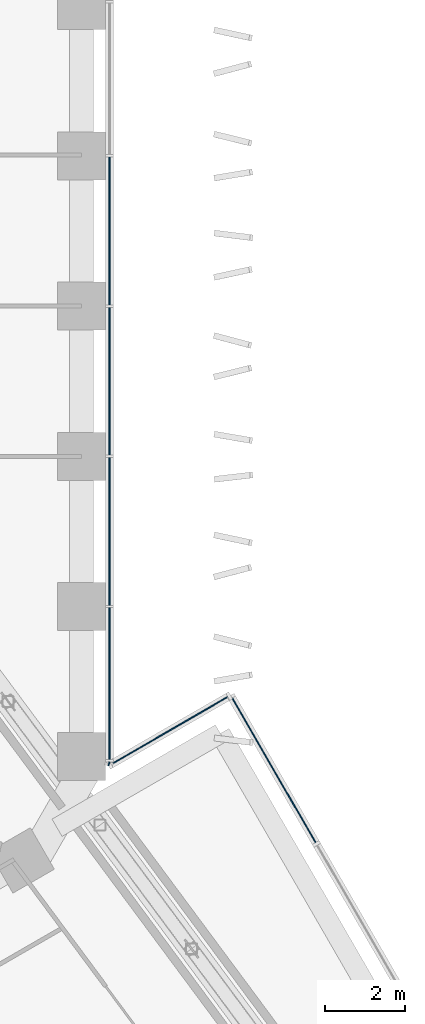
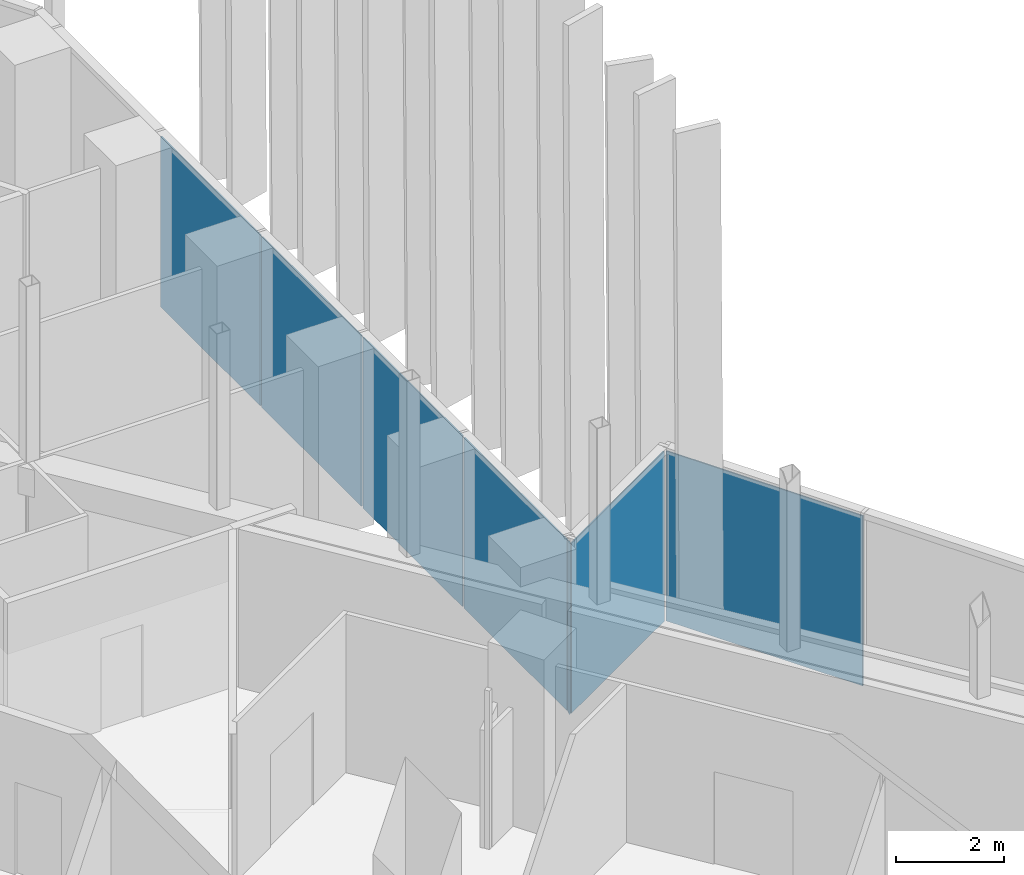
# One storey, part 17 of 29: 7 plates, 4 elements without a shape of their own.
"""IFC4 building model written with IfcOpenShell, lengths in metres."""

from ifc_helpers import new_model, si_unit, direction, frame, origin, origin_2d, place, context, subcontext, project, spatial, rectangle, extrude, material, layer, layer_set, type_object, element, aggregate, save


model = new_model("IFC4")

# Units and contexts
model_context = context("Model", 3, precision=1e-05, world=origin(), true_north=direction((0.0, 1.0)))
body_context = subcontext(model_context, "Body", "Model", "MODEL_VIEW")
ifc_project = project(units=[si_unit("LENGTHUNIT", "METRE"), si_unit("AREAUNIT", "SQUARE_METRE"), si_unit("VOLUMEUNIT", "CUBIC_METRE"), si_unit("PLANEANGLEUNIT", "RADIAN"), si_unit("MASSUNIT", "GRAM", prefix="KILO")], contexts=[model_context])

# Site, building, storey
site_placement = place(None, origin())
site = spatial("IfcSite", under=ifc_project, at=site_placement, CompositionType="ELEMENT")
building_placement = place(site_placement, origin())
building = spatial("IfcBuilding", under=site, at=building_placement, Name="Ayvan Gate Tower", CompositionType="ELEMENT")
storey_placement = place(building_placement, frame((0.0, 0.0, 66.300048828125)))
storey = spatial("IfcBuildingStorey", under=building, at=storey_placement, Name="L17", CompositionType="ELEMENT", Elevation=66.300048828125)

# Curtain wall, plates
ifc_material_1 = material(Name="Bronze anodised aluminium", Category="aluminium")
ifc_layer_1 = layer(ifc_material_1, 0.199951171875)
ifc_layer_set_1 = layer_set([ifc_layer_1], Name="Bronze anodised aluminium")
curtain_wall_type_1 = type_object("IfcCurtainWallType", Name="Stick curtain wall CW-1", PredefinedType="NOTDEFINED", material=ifc_layer_set_1)
curtain_wall_1_placement = place(storey_placement, origin())
curtain_wall_1 = element("IfcCurtainWall", 1, at=curtain_wall_1_placement, inside=storey, type_object=curtain_wall_type_1, Name="Stick curtain wall CW-1 L17", PredefinedType="NOTDEFINED")
ifc_material_2 = material(Name="Clear low-iron laminated glass", Category="glass")
ifc_layer_2 = layer(ifc_material_2, 0.028076171875)
ifc_layer_set_2 = layer_set([ifc_layer_2], Name="Clear low-iron laminated glass")
plate_type_1 = type_object("IfcPlateType", Name="Stick curtain wall CW-1 glass panel", PredefinedType="CURTAIN_PANEL", material=ifc_layer_set_2)
plate_1_placement = place(storey_placement, frame((21.484619140625, -3.76171875, 0.0), z_axis=(0.0, 0.0, 1.0), x_axis=(0.0, 1.0, 0.0)))
plate_1 = element("IfcPlate", 2, at=plate_1_placement, type_object=plate_type_1, Name="CW-1 glass panel 2", PredefinedType="CURTAIN_PANEL", context=body_context, shape_type="SweptSolid", body=[
    extrude(rectangle(XDim=3.701904296875, YDim=0.028076171875, at=origin_2d()), origin(), (0.0, 0.0, 1.0), 3.8798828125),
])
plate_2_placement = place(storey_placement, frame((21.484619140625, 0.000244140625, 0.0), z_axis=(0.0, 0.0, 1.0), x_axis=(0.0, 1.0, 0.0)))
plate_2 = element("IfcPlate", 3, at=plate_2_placement, type_object=plate_type_1, Name="CW-1 glass panel 3", PredefinedType="CURTAIN_PANEL", context=body_context, shape_type="SweptSolid", body=[
    extrude(rectangle(XDim=3.701904296875, YDim=0.028076171875, at=origin_2d()), origin(), (0.0, 0.0, 1.0), 3.8798828125),
])
plate_3_placement = place(storey_placement, frame((21.484619140625, 3.76220703125, 0.0), z_axis=(0.0, 0.0, 1.0), x_axis=(0.0, 1.0, 0.0)))
plate_3 = element("IfcPlate", 4, at=plate_3_placement, type_object=plate_type_1, Name="CW-1 glass panel 4", PredefinedType="CURTAIN_PANEL", context=body_context, shape_type="SweptSolid", body=[
    extrude(rectangle(XDim=3.701904296875, YDim=0.028076171875, at=origin_2d()), origin(), (0.0, 0.0, 1.0), 3.8798828125),
])
ifc_material_3 = material(Name="Pale anodised aluminium composite panel", Category="aluminium")
ifc_layer_3 = layer(ifc_material_3, 0.028076171875)
ifc_layer_set_3 = layer_set([ifc_layer_3], Name="Pale anodised aluminium composite panel")
plate_type_2 = type_object("IfcPlateType", Name="Stick curtain wall CW-1 solid panel", PredefinedType="CURTAIN_PANEL", material=ifc_layer_set_3)
plate_4_placement = place(storey_placement, frame((21.484619140625, -7.59033203125, 0.0), z_axis=(0.0, 0.0, 1.0), x_axis=(0.0, 1.0, 0.0)))
plate_4 = element("IfcPlate", 5, at=plate_4_placement, type_object=plate_type_2, Name="CW-1 solid panel 1", PredefinedType="CURTAIN_PANEL", context=body_context, shape_type="SweptSolid", body=[
    extrude(rectangle(XDim=3.8349609375, YDim=0.028076171875, at=origin_2d()), origin(), (0.0, 0.0, 1.0), 3.8798828125),
])
aggregate(curtain_wall_1, [plate_4, plate_1, plate_2, plate_3])

# Curtain wall, plate
ifc_layer_4 = layer(ifc_material_1, 0.199951171875)
ifc_layer_set_4 = layer_set([ifc_layer_4], Name="Bronze anodised aluminium")
curtain_wall_type_2 = type_object("IfcCurtainWallType", Name="Stick curtain wall CW-4", PredefinedType="NOTDEFINED", material=ifc_layer_set_4)
curtain_wall_2_placement = place(storey_placement, origin())
curtain_wall_2 = element("IfcCurtainWall", 6, at=curtain_wall_2_placement, inside=storey, type_object=curtain_wall_type_2, Name="Stick curtain wall CW-4 L17", PredefinedType="NOTDEFINED")
ifc_layer_5 = layer(ifc_material_3, 0.028076171875)
ifc_layer_set_5 = layer_set([ifc_layer_5], Name="Pale anodised aluminium composite panel")
plate_type_3 = type_object("IfcPlateType", Name="Stick curtain wall CW-4 solid panel", PredefinedType="CURTAIN_PANEL", material=ifc_layer_set_5)
plate_5_placement = place(storey_placement, frame((25.593505859375, -9.729248046875, 0.0), z_axis=(0.0, 0.0, 1.0), x_axis=(-0.5, 0.866025403784, 0.0)))
plate_5 = element("IfcPlate", 7, at=plate_5_placement, type_object=plate_type_3, Name="CW-4 solid panel 4", PredefinedType="CURTAIN_PANEL", context=body_context, shape_type="SweptSolid", body=[
    extrude(rectangle(XDim=4.219970703125, YDim=0.028076171875, at=origin_2d()), origin(), (0.0, 0.0, 1.0), 3.860107421875),
])
aggregate(curtain_wall_2, [plate_5])

curtain_wall_3_placement = place(storey_placement, origin())
curtain_wall_3 = element("IfcCurtainWall", 8, at=curtain_wall_3_placement, inside=storey, type_object=curtain_wall_type_2, Name="Stick curtain wall CW-4 L17", PredefinedType="NOTDEFINED")
plate_6_placement = place(storey_placement, frame((22.98876953125, -8.75048828125, 0.0), z_axis=(0.0, 0.0, 1.0), x_axis=(-0.866025403784, -0.5, 0.0)))
plate_6 = element("IfcPlate", 9, at=plate_6_placement, type_object=plate_type_3, Name="CW-4 solid panel 1", PredefinedType="CURTAIN_PANEL", context=body_context, shape_type="SweptSolid", body=[
    extrude(rectangle(XDim=3.452880859375, YDim=0.028076171875, at=origin_2d()), origin(), (0.0, 0.0, 1.0), 3.860107421875),
])
aggregate(curtain_wall_3, [plate_6])

ifc_layer_6 = layer(ifc_material_1, 0.199951171875)
ifc_layer_set_6 = layer_set([ifc_layer_6], Name="Bronze anodised aluminium")
curtain_wall_type_3 = type_object("IfcCurtainWallType", Name="Stick curtain wall CW-6", PredefinedType="NOTDEFINED", material=ifc_layer_set_6)
curtain_wall_4_placement = place(storey_placement, origin())
curtain_wall_4 = element("IfcCurtainWall", 10, at=curtain_wall_4_placement, inside=storey, type_object=curtain_wall_type_3, Name="Stick curtain wall CW-6 L17", PredefinedType="NOTDEFINED")
ifc_layer_7 = layer(ifc_material_2, 0.028076171875)
ifc_layer_set_7 = layer_set([ifc_layer_7], Name="Clear low-iron laminated glass")
plate_type_4 = type_object("IfcPlateType", Name="Stick curtain wall CW-6 glass panel", PredefinedType="CURTAIN_PANEL", material=ifc_layer_set_7)
plate_7_placement = place(storey_placement, frame((21.4716796875, -9.585693359375, 0.0), z_axis=(0.0, 0.0, 1.0), x_axis=(0.258819045103, 0.965925826289, 0.0)))
plate_7 = element("IfcPlate", 11, at=plate_7_placement, type_object=plate_type_4, Name="CW-6 glass panel 1", PredefinedType="CURTAIN_PANEL", context=body_context, shape_type="SweptSolid", body=[
    extrude(rectangle(XDim=0.099365234375, YDim=0.028076171875, at=origin_2d()), origin(), (0.0, 0.0, 1.0), 3.8798828125),
])
aggregate(curtain_wall_4, [plate_7])

save(model, "model.ifc")
